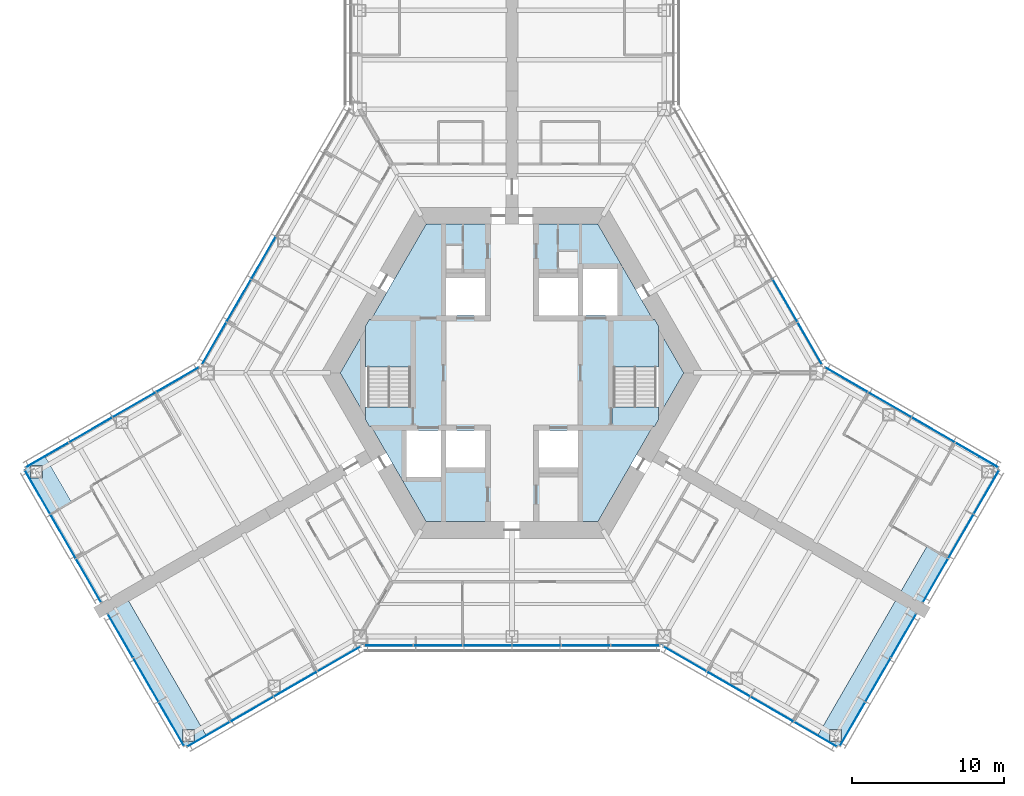
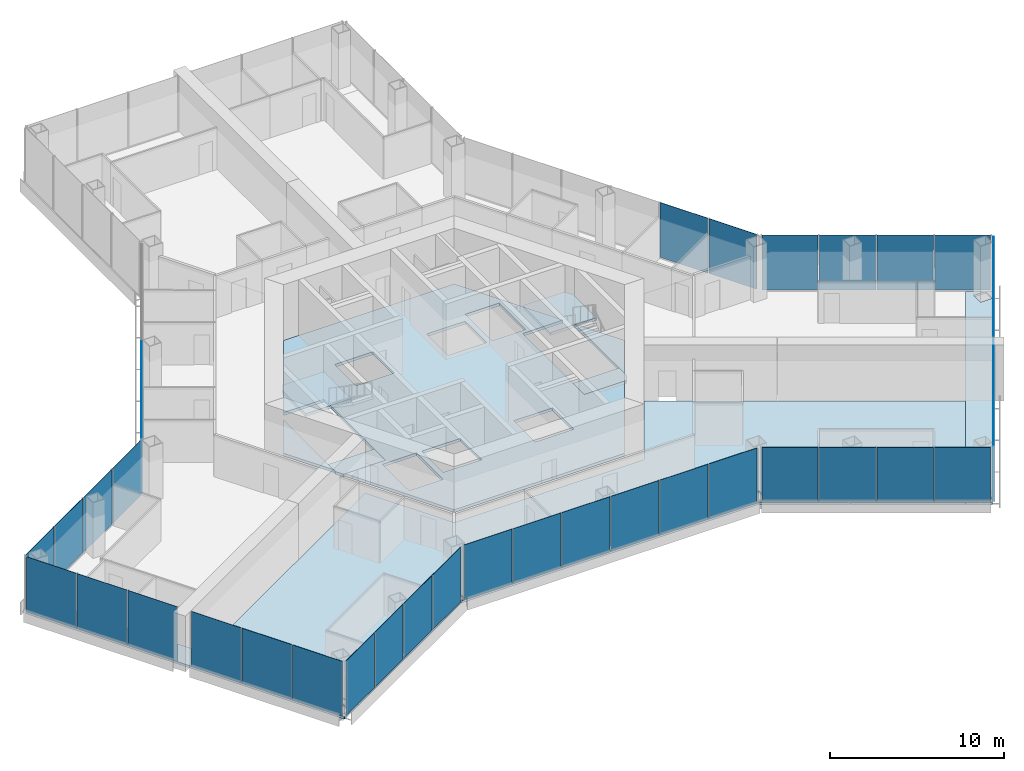
# One storey, part 10 of 19: 39 plates, 10 slabs, 13 elements without a shape of their own.
"""IFC4 building model written with IfcOpenShell, lengths in metres."""

from ifc_helpers import new_model, si_unit, direction, frame, origin, origin_2d, place, context, subcontext, project, spatial, polyline, rectangle, outline, extrude, material, layer, layer_set, type_object, element, aggregate, save


model = new_model("IFC4")

# Units and contexts
model_context = context("Model", 3, precision=1e-05, world=origin(), true_north=direction((0.0, 1.0)))
body_context = subcontext(model_context, "Body", "Model", "MODEL_VIEW")
ifc_project = project(units=[si_unit("LENGTHUNIT", "METRE"), si_unit("AREAUNIT", "SQUARE_METRE"), si_unit("VOLUMEUNIT", "CUBIC_METRE"), si_unit("PLANEANGLEUNIT", "RADIAN"), si_unit("MASSUNIT", "GRAM", prefix="KILO")], contexts=[model_context])

# Site, building, storey
site_placement = place(None, origin())
site = spatial("IfcSite", under=ifc_project, at=site_placement, CompositionType="ELEMENT")
building_placement = place(site_placement, origin())
building = spatial("IfcBuilding", under=site, at=building_placement, Name="Kasaneha Research Tower", CompositionType="ELEMENT")
storey_placement = place(building_placement, frame((0.0, 0.0, 96.300048828125)))
storey = spatial("IfcBuildingStorey", under=building, at=storey_placement, Name="L24", CompositionType="ELEMENT", Elevation=96.300048828125)

# Curtain wall, plates
ifc_material_1 = material(Name="Glass and aluminium", Category="aluminium")
curtain_wall_type = type_object("IfcCurtainWallType", Name="Low-rise office curtain wall", PredefinedType="USERDEFINED", material=ifc_material_1)
curtain_wall_1_placement = place(storey_placement, origin())
curtain_wall_1 = element("IfcCurtainWall", 1, at=curtain_wall_1_placement, inside=storey, type_object=curtain_wall_type, Name="CW-O1 L24 run 01a", ObjectType="UNITISED CURTAIN WALL", PredefinedType="USERDEFINED")
ifc_material_2 = material(Name="Laminated double glazing", Category="glass")
ifc_layer_1 = layer(ifc_material_2, 0.028076171875)
ifc_layer_set_1 = layer_set([ifc_layer_1], Name="CW-O1 glazed panel")
plate_type = type_object("IfcPlateType", Name="CW-O1 glazed panel", PredefinedType="CURTAIN_PANEL", material=ifc_layer_set_1)
plate_1_placement = place(storey_placement, frame((-19.945068359375, -23.755126953125, 0.06005859375), z_axis=(0.0, 0.0, 1.0), x_axis=(0.866025411464, 0.499999986699, 0.0)))
plate_1 = element("IfcPlate", 2, at=plate_1_placement, type_object=plate_type, Name="CW-O1 panel 1", PredefinedType="CURTAIN_PANEL", context=body_context, shape_type="SweptSolid", body=[
    extrude(rectangle(XDim=3.2197265625, YDim=0.028076171875, at=origin_2d()), origin(), (0.0, 0.0, 1.0), 3.840087890625),
])
plate_2_placement = place(storey_placement, frame((-17.091796875, -22.107666015625, 0.06005859375), z_axis=(0.0, 0.0, 1.0), x_axis=(0.866025411464, 0.499999986699, 0.0)))
plate_2 = element("IfcPlate", 3, at=plate_2_placement, type_object=plate_type, Name="CW-O1 panel 2", PredefinedType="CURTAIN_PANEL", context=body_context, shape_type="SweptSolid", body=[
    extrude(rectangle(XDim=3.249755859375, YDim=0.028076171875, at=origin_2d()), origin(), (0.0, 0.0, 1.0), 3.840087890625),
])
plate_3_placement = place(storey_placement, frame((-14.225341796875, -20.452880859375, 0.06005859375), z_axis=(0.0, 0.0, 1.0), x_axis=(0.866025411464, 0.499999986699, 0.0)))
plate_3 = element("IfcPlate", 4, at=plate_3_placement, type_object=plate_type, Name="CW-O1 panel 3", PredefinedType="CURTAIN_PANEL", context=body_context, shape_type="SweptSolid", body=[
    extrude(rectangle(XDim=3.249755859375, YDim=0.028076171875, at=origin_2d()), origin(), (0.0, 0.0, 1.0), 3.840087890625),
])
plate_4_placement = place(storey_placement, frame((-11.3720703125, -18.805419921875, 0.06005859375), z_axis=(0.0, 0.0, 1.0), x_axis=(0.866025411464, 0.499999986699, 0.0)))
plate_4 = element("IfcPlate", 5, at=plate_4_placement, type_object=plate_type, Name="CW-O1 panel 4", PredefinedType="CURTAIN_PANEL", context=body_context, shape_type="SweptSolid", body=[
    extrude(rectangle(XDim=3.2197265625, YDim=0.028076171875, at=origin_2d()), origin(), (0.0, 0.0, 1.0), 3.840087890625),
])
aggregate(curtain_wall_1, [plate_1, plate_2, plate_3, plate_4])

curtain_wall_2_placement = place(storey_placement, origin())
curtain_wall_2 = element("IfcCurtainWall", 6, at=curtain_wall_2_placement, inside=storey, type_object=curtain_wall_type, Name="CW-O1 L24 run 02a", ObjectType="UNITISED CURTAIN WALL", PredefinedType="USERDEFINED")
plate_5_placement = place(storey_placement, frame((-8.10107421875, -17.92041015625, 0.06005859375), z_axis=(0.0, 0.0, 1.0), x_axis=(1.0, 0.0, 0.0)))
plate_5 = element("IfcPlate", 7, at=plate_5_placement, type_object=plate_type, Name="CW-O1 panel 1", PredefinedType="CURTAIN_PANEL", context=body_context, shape_type="SweptSolid", body=[
    extrude(rectangle(XDim=3.156494140625, YDim=0.028076171875, at=origin_2d()), origin(), (0.0, 0.0, 1.0), 3.840087890625),
])
plate_6_placement = place(storey_placement, frame((-4.86962890625, -17.92041015625, 0.06005859375), z_axis=(0.0, 0.0, 1.0), x_axis=(1.0, 0.0, 0.0)))
plate_6 = element("IfcPlate", 8, at=plate_6_placement, type_object=plate_type, Name="CW-O1 panel 2", PredefinedType="CURTAIN_PANEL", context=body_context, shape_type="SweptSolid", body=[
    extrude(rectangle(XDim=3.1865234375, YDim=0.028076171875, at=origin_2d()), origin(), (0.0, 0.0, 1.0), 3.840087890625),
])
plate_7_placement = place(storey_placement, frame((-1.623291015625, -17.92041015625, 0.06005859375), z_axis=(0.0, 0.0, 1.0), x_axis=(1.0, 0.0, 0.0)))
plate_7 = element("IfcPlate", 9, at=plate_7_placement, type_object=plate_type, Name="CW-O1 panel 3", PredefinedType="CURTAIN_PANEL", context=body_context, shape_type="SweptSolid", body=[
    extrude(rectangle(XDim=3.1865234375, YDim=0.028076171875, at=origin_2d()), origin(), (0.0, 0.0, 1.0), 3.840087890625),
])
plate_8_placement = place(storey_placement, frame((1.623291015625, -17.92041015625, 0.06005859375), z_axis=(0.0, 0.0, 1.0), x_axis=(1.0, 0.0, 0.0)))
plate_8 = element("IfcPlate", 10, at=plate_8_placement, type_object=plate_type, Name="CW-O1 panel 4", PredefinedType="CURTAIN_PANEL", context=body_context, shape_type="SweptSolid", body=[
    extrude(rectangle(XDim=3.1865234375, YDim=0.028076171875, at=origin_2d()), origin(), (0.0, 0.0, 1.0), 3.840087890625),
])
plate_9_placement = place(storey_placement, frame((4.86962890625, -17.92041015625, 0.06005859375), z_axis=(0.0, 0.0, 1.0), x_axis=(1.0, 0.0, 0.0)))
plate_9 = element("IfcPlate", 11, at=plate_9_placement, type_object=plate_type, Name="CW-O1 panel 5", PredefinedType="CURTAIN_PANEL", context=body_context, shape_type="SweptSolid", body=[
    extrude(rectangle(XDim=3.1865234375, YDim=0.028076171875, at=origin_2d()), origin(), (0.0, 0.0, 1.0), 3.840087890625),
])
plate_10_placement = place(storey_placement, frame((8.10107421875, -17.92041015625, 0.06005859375), z_axis=(0.0, 0.0, 1.0), x_axis=(1.0, 0.0, 0.0)))
plate_10 = element("IfcPlate", 12, at=plate_10_placement, type_object=plate_type, Name="CW-O1 panel 6", PredefinedType="CURTAIN_PANEL", context=body_context, shape_type="SweptSolid", body=[
    extrude(rectangle(XDim=3.156494140625, YDim=0.028076171875, at=origin_2d()), origin(), (0.0, 0.0, 1.0), 3.840087890625),
])
aggregate(curtain_wall_2, [plate_5, plate_6, plate_7, plate_8, plate_9, plate_10])

curtain_wall_3_placement = place(storey_placement, origin())
curtain_wall_3 = element("IfcCurtainWall", 13, at=curtain_wall_3_placement, inside=storey, type_object=curtain_wall_type, Name="CW-O1 L24 run 03a", ObjectType="UNITISED CURTAIN WALL", PredefinedType="USERDEFINED")
plate_11_placement = place(storey_placement, frame((11.3720703125, -18.805419921875, 0.06005859375), z_axis=(0.0, 0.0, 1.0), x_axis=(0.866025411464, -0.499999986699, 0.0)))
plate_11 = element("IfcPlate", 14, at=plate_11_placement, type_object=plate_type, Name="CW-O1 panel 1", PredefinedType="CURTAIN_PANEL", context=body_context, shape_type="SweptSolid", body=[
    extrude(rectangle(XDim=3.2197265625, YDim=0.028076171875, at=origin_2d()), origin(), (0.0, 0.0, 1.0), 3.840087890625),
])
plate_12_placement = place(storey_placement, frame((14.225341796875, -20.452880859375, 0.06005859375), z_axis=(0.0, 0.0, 1.0), x_axis=(0.866025411464, -0.499999986699, 0.0)))
plate_12 = element("IfcPlate", 15, at=plate_12_placement, type_object=plate_type, Name="CW-O1 panel 2", PredefinedType="CURTAIN_PANEL", context=body_context, shape_type="SweptSolid", body=[
    extrude(rectangle(XDim=3.249755859375, YDim=0.028076171875, at=origin_2d()), origin(), (0.0, 0.0, 1.0), 3.840087890625),
])
plate_13_placement = place(storey_placement, frame((17.091796875, -22.107666015625, 0.06005859375), z_axis=(0.0, 0.0, 1.0), x_axis=(0.866025411464, -0.499999986699, 0.0)))
plate_13 = element("IfcPlate", 16, at=plate_13_placement, type_object=plate_type, Name="CW-O1 panel 3", PredefinedType="CURTAIN_PANEL", context=body_context, shape_type="SweptSolid", body=[
    extrude(rectangle(XDim=3.249755859375, YDim=0.028076171875, at=origin_2d()), origin(), (0.0, 0.0, 1.0), 3.840087890625),
])
plate_14_placement = place(storey_placement, frame((19.945068359375, -23.755126953125, 0.06005859375), z_axis=(0.0, 0.0, 1.0), x_axis=(0.866025411464, -0.499999986699, 0.0)))
plate_14 = element("IfcPlate", 17, at=plate_14_placement, type_object=plate_type, Name="CW-O1 panel 4", PredefinedType="CURTAIN_PANEL", context=body_context, shape_type="SweptSolid", body=[
    extrude(rectangle(XDim=3.2197265625, YDim=0.028076171875, at=origin_2d()), origin(), (0.0, 0.0, 1.0), 3.840087890625),
])
aggregate(curtain_wall_3, [plate_11, plate_12, plate_13, plate_14])

curtain_wall_4_placement = place(storey_placement, origin())
curtain_wall_4 = element("IfcCurtainWall", 18, at=curtain_wall_4_placement, inside=storey, type_object=curtain_wall_type, Name="CW-O1 L24 run 04a", ObjectType="UNITISED CURTAIN WALL", PredefinedType="USERDEFINED")
plate_15_placement = place(storey_placement, frame((22.377197265625, -23.082763671875, 0.06005859375), z_axis=(0.0, 0.0, 1.0), x_axis=(0.500000011442, 0.866025397178, 0.0)))
plate_15 = element("IfcPlate", 19, at=plate_15_placement, type_object=plate_type, Name="CW-O1 panel 1", PredefinedType="CURTAIN_PANEL", context=body_context, shape_type="SweptSolid", body=[
    extrude(rectangle(XDim=3.276611328125, YDim=0.028076171875, at=origin_2d()), origin(), (0.0, 0.0, 1.0), 3.840087890625),
])
plate_16_placement = place(storey_placement, frame((24.052978515625, -20.18017578125, 0.06005859375), z_axis=(0.0, 0.0, 1.0), x_axis=(0.500000011442, 0.866025397178, 0.0)))
plate_16 = element("IfcPlate", 20, at=plate_16_placement, type_object=plate_type, Name="CW-O1 panel 2", PredefinedType="CURTAIN_PANEL", context=body_context, shape_type="SweptSolid", body=[
    extrude(rectangle(XDim=3.306640625, YDim=0.028076171875, at=origin_2d()), origin(), (0.0, 0.0, 1.0), 3.840087890625),
])
plate_17_placement = place(storey_placement, frame((25.728759765625, -17.27734375, 0.06005859375), z_axis=(0.0, 0.0, 1.0), x_axis=(0.500000011442, 0.866025397178, 0.0)))
plate_17 = element("IfcPlate", 21, at=plate_17_placement, type_object=plate_type, Name="CW-O1 panel 3", PredefinedType="CURTAIN_PANEL", context=body_context, shape_type="SweptSolid", body=[
    extrude(rectangle(XDim=3.276611328125, YDim=0.028076171875, at=origin_2d()), origin(), (0.0, 0.0, 1.0), 3.840087890625),
])
aggregate(curtain_wall_4, [plate_15, plate_16, plate_17])

curtain_wall_5_placement = place(storey_placement, origin())
curtain_wall_5 = element("IfcCurtainWall", 22, at=curtain_wall_5_placement, inside=storey, type_object=curtain_wall_type, Name="CW-O1 L24 run 05a", ObjectType="UNITISED CURTAIN WALL", PredefinedType="USERDEFINED")
plate_18_placement = place(storey_placement, frame((27.8271484375, -13.64306640625, 0.06005859375), z_axis=(0.0, 0.0, 1.0), x_axis=(0.500000011442, 0.866025397178, 0.0)))
plate_18 = element("IfcPlate", 23, at=plate_18_placement, type_object=plate_type, Name="CW-O1 panel 1", PredefinedType="CURTAIN_PANEL", context=body_context, shape_type="SweptSolid", body=[
    extrude(rectangle(XDim=3.276611328125, YDim=0.028076171875, at=origin_2d()), origin(), (0.0, 0.0, 1.0), 3.840087890625),
])
plate_19_placement = place(storey_placement, frame((29.5029296875, -10.740478515625, 0.06005859375), z_axis=(0.0, 0.0, 1.0), x_axis=(0.500000011442, 0.866025397178, 0.0)))
plate_19 = element("IfcPlate", 24, at=plate_19_placement, type_object=plate_type, Name="CW-O1 panel 2", PredefinedType="CURTAIN_PANEL", context=body_context, shape_type="SweptSolid", body=[
    extrude(rectangle(XDim=3.306640625, YDim=0.028076171875, at=origin_2d()), origin(), (0.0, 0.0, 1.0), 3.840087890625),
])
plate_20_placement = place(storey_placement, frame((31.1787109375, -7.837890625, 0.06005859375), z_axis=(0.0, 0.0, 1.0), x_axis=(0.500000011442, 0.866025397178, 0.0)))
plate_20 = element("IfcPlate", 25, at=plate_20_placement, type_object=plate_type, Name="CW-O1 panel 3", PredefinedType="CURTAIN_PANEL", context=body_context, shape_type="SweptSolid", body=[
    extrude(rectangle(XDim=3.276611328125, YDim=0.028076171875, at=origin_2d()), origin(), (0.0, 0.0, 1.0), 3.840087890625),
])
aggregate(curtain_wall_5, [plate_18, plate_19, plate_20])

curtain_wall_6_placement = place(storey_placement, origin())
curtain_wall_6 = element("IfcCurtainWall", 26, at=curtain_wall_6_placement, inside=storey, type_object=curtain_wall_type, Name="CW-O1 L24 run 06a", ObjectType="UNITISED CURTAIN WALL", PredefinedType="USERDEFINED")
plate_21_placement = place(storey_placement, frame((30.545166015625, -5.3955078125, 0.06005859375), z_axis=(0.0, 0.0, 1.0), x_axis=(-0.866025411464, 0.499999986699, 0.0)))
plate_21 = element("IfcPlate", 27, at=plate_21_placement, type_object=plate_type, Name="CW-O1 panel 1", PredefinedType="CURTAIN_PANEL", context=body_context, shape_type="SweptSolid", body=[
    extrude(rectangle(XDim=3.2197265625, YDim=0.028076171875, at=origin_2d()), origin(), (0.0, 0.0, 1.0), 3.840087890625),
])
plate_22_placement = place(storey_placement, frame((27.69189453125, -3.748046875, 0.06005859375), z_axis=(0.0, 0.0, 1.0), x_axis=(-0.866025411464, 0.499999986699, 0.0)))
plate_22 = element("IfcPlate", 28, at=plate_22_placement, type_object=plate_type, Name="CW-O1 panel 2", PredefinedType="CURTAIN_PANEL", context=body_context, shape_type="SweptSolid", body=[
    extrude(rectangle(XDim=3.249755859375, YDim=0.028076171875, at=origin_2d()), origin(), (0.0, 0.0, 1.0), 3.840087890625),
])
plate_23_placement = place(storey_placement, frame((24.825439453125, -2.093017578125, 0.06005859375), z_axis=(0.0, 0.0, 1.0), x_axis=(-0.866025411464, 0.499999986699, 0.0)))
plate_23 = element("IfcPlate", 29, at=plate_23_placement, type_object=plate_type, Name="CW-O1 panel 3", PredefinedType="CURTAIN_PANEL", context=body_context, shape_type="SweptSolid", body=[
    extrude(rectangle(XDim=3.249755859375, YDim=0.028076171875, at=origin_2d()), origin(), (0.0, 0.0, 1.0), 3.840087890625),
])
plate_24_placement = place(storey_placement, frame((21.971923828125, -0.44580078125, 0.06005859375), z_axis=(0.0, 0.0, 1.0), x_axis=(-0.866025411464, 0.499999986699, 0.0)))
plate_24 = element("IfcPlate", 30, at=plate_24_placement, type_object=plate_type, Name="CW-O1 panel 4", PredefinedType="CURTAIN_PANEL", context=body_context, shape_type="SweptSolid", body=[
    extrude(rectangle(XDim=3.2197265625, YDim=0.028076171875, at=origin_2d()), origin(), (0.0, 0.0, 1.0), 3.840087890625),
])
aggregate(curtain_wall_6, [plate_21, plate_22, plate_23, plate_24])

curtain_wall_7_placement = place(storey_placement, origin())
curtain_wall_7 = element("IfcCurtainWall", 31, at=curtain_wall_7_placement, inside=storey, type_object=curtain_wall_type, Name="CW-O1 L24 run 07a", ObjectType="UNITISED CURTAIN WALL", PredefinedType="USERDEFINED")
plate_25_placement = place(storey_placement, frame((19.570068359375, 1.944580078125, 0.06005859375), z_axis=(0.0, 0.0, 1.0), x_axis=(-0.49999996188, 0.866025425793, 0.0)))
plate_25 = element("IfcPlate", 32, at=plate_25_placement, type_object=plate_type, Name="CW-O1 panel 1", PredefinedType="CURTAIN_PANEL", context=body_context, shape_type="SweptSolid", body=[
    extrude(rectangle(XDim=3.156494140625, YDim=0.028076171875, at=origin_2d()), origin(), (0.0, 0.0, 1.0), 3.840087890625),
])
plate_26_placement = place(storey_placement, frame((17.954345703125, 4.7431640625, 0.06005859375), z_axis=(0.0, 0.0, 1.0), x_axis=(-0.49999996188, 0.866025425793, 0.0)))
plate_26 = element("IfcPlate", 33, at=plate_26_placement, type_object=plate_type, Name="CW-O1 panel 2", PredefinedType="CURTAIN_PANEL", context=body_context, shape_type="SweptSolid", body=[
    extrude(rectangle(XDim=3.1865234375, YDim=0.028076171875, at=origin_2d()), origin(), (0.0, 0.0, 1.0), 3.840087890625),
])
aggregate(curtain_wall_7, [plate_25, plate_26])

curtain_wall_8_placement = place(storey_placement, origin())
curtain_wall_8 = element("IfcCurtainWall", 34, at=curtain_wall_8_placement, inside=storey, type_object=curtain_wall_type, Name="CW-O1 L24 run 12a", ObjectType="UNITISED CURTAIN WALL", PredefinedType="USERDEFINED")
plate_27_placement = place(storey_placement, frame((-16.331298828125, 7.554443359375, 0.06005859375), z_axis=(0.0, 0.0, 1.0), x_axis=(-0.49999996188, -0.866025425793, 0.0)))
plate_27 = element("IfcPlate", 35, at=plate_27_placement, type_object=plate_type, Name="CW-O1 panel 4", PredefinedType="CURTAIN_PANEL", context=body_context, shape_type="SweptSolid", body=[
    extrude(rectangle(XDim=3.1865234375, YDim=0.028076171875, at=origin_2d()), origin(), (0.0, 0.0, 1.0), 3.840087890625),
])
plate_28_placement = place(storey_placement, frame((-17.954345703125, 4.7431640625, 0.06005859375), z_axis=(0.0, 0.0, 1.0), x_axis=(-0.49999996188, -0.866025425793, 0.0)))
plate_28 = element("IfcPlate", 36, at=plate_28_placement, type_object=plate_type, Name="CW-O1 panel 5", PredefinedType="CURTAIN_PANEL", context=body_context, shape_type="SweptSolid", body=[
    extrude(rectangle(XDim=3.1865234375, YDim=0.028076171875, at=origin_2d()), origin(), (0.0, 0.0, 1.0), 3.840087890625),
])
plate_29_placement = place(storey_placement, frame((-19.570068359375, 1.944580078125, 0.06005859375), z_axis=(0.0, 0.0, 1.0), x_axis=(-0.49999996188, -0.866025425793, 0.0)))
plate_29 = element("IfcPlate", 37, at=plate_29_placement, type_object=plate_type, Name="CW-O1 panel 6", PredefinedType="CURTAIN_PANEL", context=body_context, shape_type="SweptSolid", body=[
    extrude(rectangle(XDim=3.156494140625, YDim=0.028076171875, at=origin_2d()), origin(), (0.0, 0.0, 1.0), 3.840087890625),
])
aggregate(curtain_wall_8, [plate_27, plate_28, plate_29])

curtain_wall_9_placement = place(storey_placement, origin())
curtain_wall_9 = element("IfcCurtainWall", 38, at=curtain_wall_9_placement, inside=storey, type_object=curtain_wall_type, Name="CW-O1 L24 run 13a", ObjectType="UNITISED CURTAIN WALL", PredefinedType="USERDEFINED")
plate_30_placement = place(storey_placement, frame((-21.971923828125, -0.44580078125, 0.06005859375), z_axis=(0.0, 0.0, 1.0), x_axis=(-0.866025411464, -0.499999986699, 0.0)))
plate_30 = element("IfcPlate", 39, at=plate_30_placement, type_object=plate_type, Name="CW-O1 panel 1", PredefinedType="CURTAIN_PANEL", context=body_context, shape_type="SweptSolid", body=[
    extrude(rectangle(XDim=3.2197265625, YDim=0.028076171875, at=origin_2d()), origin(), (0.0, 0.0, 1.0), 3.840087890625),
])
plate_31_placement = place(storey_placement, frame((-24.825439453125, -2.093017578125, 0.06005859375), z_axis=(0.0, 0.0, 1.0), x_axis=(-0.866025411464, -0.499999986699, 0.0)))
plate_31 = element("IfcPlate", 40, at=plate_31_placement, type_object=plate_type, Name="CW-O1 panel 2", PredefinedType="CURTAIN_PANEL", context=body_context, shape_type="SweptSolid", body=[
    extrude(rectangle(XDim=3.249755859375, YDim=0.028076171875, at=origin_2d()), origin(), (0.0, 0.0, 1.0), 3.840087890625),
])
plate_32_placement = place(storey_placement, frame((-27.69189453125, -3.748046875, 0.06005859375), z_axis=(0.0, 0.0, 1.0), x_axis=(-0.866025411464, -0.499999986699, 0.0)))
plate_32 = element("IfcPlate", 41, at=plate_32_placement, type_object=plate_type, Name="CW-O1 panel 3", PredefinedType="CURTAIN_PANEL", context=body_context, shape_type="SweptSolid", body=[
    extrude(rectangle(XDim=3.249755859375, YDim=0.028076171875, at=origin_2d()), origin(), (0.0, 0.0, 1.0), 3.840087890625),
])
plate_33_placement = place(storey_placement, frame((-30.545166015625, -5.3955078125, 0.06005859375), z_axis=(0.0, 0.0, 1.0), x_axis=(-0.866025411464, -0.499999986699, 0.0)))
plate_33 = element("IfcPlate", 42, at=plate_33_placement, type_object=plate_type, Name="CW-O1 panel 4", PredefinedType="CURTAIN_PANEL", context=body_context, shape_type="SweptSolid", body=[
    extrude(rectangle(XDim=3.2197265625, YDim=0.028076171875, at=origin_2d()), origin(), (0.0, 0.0, 1.0), 3.840087890625),
])
aggregate(curtain_wall_9, [plate_30, plate_31, plate_32, plate_33])

curtain_wall_10_placement = place(storey_placement, origin())
curtain_wall_10 = element("IfcCurtainWall", 43, at=curtain_wall_10_placement, inside=storey, type_object=curtain_wall_type, Name="CW-O1 L24 run 14a", ObjectType="UNITISED CURTAIN WALL", PredefinedType="USERDEFINED")
plate_34_placement = place(storey_placement, frame((-31.1787109375, -7.837890625, 0.06005859375), z_axis=(0.0, 0.0, 1.0), x_axis=(0.500000011442, -0.866025397178, 0.0)))
plate_34 = element("IfcPlate", 44, at=plate_34_placement, type_object=plate_type, Name="CW-O1 panel 1", PredefinedType="CURTAIN_PANEL", context=body_context, shape_type="SweptSolid", body=[
    extrude(rectangle(XDim=3.276611328125, YDim=0.028076171875, at=origin_2d()), origin(), (0.0, 0.0, 1.0), 3.840087890625),
])
plate_35_placement = place(storey_placement, frame((-29.5029296875, -10.740478515625, 0.06005859375), z_axis=(0.0, 0.0, 1.0), x_axis=(0.500000011442, -0.866025397178, 0.0)))
plate_35 = element("IfcPlate", 45, at=plate_35_placement, type_object=plate_type, Name="CW-O1 panel 2", PredefinedType="CURTAIN_PANEL", context=body_context, shape_type="SweptSolid", body=[
    extrude(rectangle(XDim=3.306640625, YDim=0.028076171875, at=origin_2d()), origin(), (0.0, 0.0, 1.0), 3.840087890625),
])
plate_36_placement = place(storey_placement, frame((-27.8271484375, -13.64306640625, 0.06005859375), z_axis=(0.0, 0.0, 1.0), x_axis=(0.500000011442, -0.866025397178, 0.0)))
plate_36 = element("IfcPlate", 46, at=plate_36_placement, type_object=plate_type, Name="CW-O1 panel 3", PredefinedType="CURTAIN_PANEL", context=body_context, shape_type="SweptSolid", body=[
    extrude(rectangle(XDim=3.276611328125, YDim=0.028076171875, at=origin_2d()), origin(), (0.0, 0.0, 1.0), 3.840087890625),
])
aggregate(curtain_wall_10, [plate_34, plate_35, plate_36])

curtain_wall_11_placement = place(storey_placement, origin())
curtain_wall_11 = element("IfcCurtainWall", 47, at=curtain_wall_11_placement, inside=storey, type_object=curtain_wall_type, Name="CW-O1 L24 run 15a", ObjectType="UNITISED CURTAIN WALL", PredefinedType="USERDEFINED")
plate_37_placement = place(storey_placement, frame((-25.728759765625, -17.27734375, 0.06005859375), z_axis=(0.0, 0.0, 1.0), x_axis=(0.500000011442, -0.866025397178, 0.0)))
plate_37 = element("IfcPlate", 48, at=plate_37_placement, type_object=plate_type, Name="CW-O1 panel 1", PredefinedType="CURTAIN_PANEL", context=body_context, shape_type="SweptSolid", body=[
    extrude(rectangle(XDim=3.276611328125, YDim=0.028076171875, at=origin_2d()), origin(), (0.0, 0.0, 1.0), 3.840087890625),
])
plate_38_placement = place(storey_placement, frame((-24.052978515625, -20.18017578125, 0.06005859375), z_axis=(0.0, 0.0, 1.0), x_axis=(0.500000011442, -0.866025397178, 0.0)))
plate_38 = element("IfcPlate", 49, at=plate_38_placement, type_object=plate_type, Name="CW-O1 panel 2", PredefinedType="CURTAIN_PANEL", context=body_context, shape_type="SweptSolid", body=[
    extrude(rectangle(XDim=3.306640625, YDim=0.028076171875, at=origin_2d()), origin(), (0.0, 0.0, 1.0), 3.840087890625),
])
plate_39_placement = place(storey_placement, frame((-22.377197265625, -23.082763671875, 0.06005859375), z_axis=(0.0, 0.0, 1.0), x_axis=(0.500000011442, -0.866025397178, 0.0)))
plate_39 = element("IfcPlate", 50, at=plate_39_placement, type_object=plate_type, Name="CW-O1 panel 3", PredefinedType="CURTAIN_PANEL", context=body_context, shape_type="SweptSolid", body=[
    extrude(rectangle(XDim=3.276611328125, YDim=0.028076171875, at=origin_2d()), origin(), (0.0, 0.0, 1.0), 3.840087890625),
])
aggregate(curtain_wall_11, [plate_37, plate_38, plate_39])

# Slabs
ifc_material_3 = material(Name="Concrete Fc24", Category="concrete")
ifc_layer_2 = layer(ifc_material_3, 0.199951171875)
ifc_layer_set_2 = layer_set([ifc_layer_2], Name="Core floor slab 200")
slab_type_1 = type_object("IfcSlabType", Name="Core floor slab 200", PredefinedType="FLOOR", material=ifc_layer_set_2)
slab_1_placement = place(storey_placement, frame((0.0, 0.0, -0.199951171875)))
element("IfcSlab", 51, at=slab_1_placement, inside=storey, type_object=slab_type_1, Name="Core slab L24", PredefinedType="FLOOR", context=body_context, shape_type="SweptSolid", body=[
    extrude(outline(polyline([(-11.287109375, 0.0), (-9.625, 2.87890625), (-9.625, -2.87890625), (-11.287109375, 0.0)])), origin(), (0.0, 0.0, 1.0), 0.199951171875),
])
slab_2_placement = place(storey_placement, frame((0.0, 0.0, -0.199951171875)))
element("IfcSlab", 52, at=slab_2_placement, inside=storey, type_object=slab_type_1, Name="Core slab L24", PredefinedType="FLOOR", context=body_context, shape_type="SweptSolid", body=[
    extrude(outline(polyline([(-5.6435546875, 9.77490234375), (5.6435546875, 9.77490234375), (9.251953125, 3.52490234375), (6.574951171875, 3.52490234375), (6.574951171875, -3.52490234375), (9.251953125, -3.52490234375), (5.6435546875, -9.77490234375), (-5.6435546875, -9.77490234375), (-9.251953125, -3.52490234375), (-6.574951171875, -3.52490234375), (-6.574951171875, 3.52490234375), (-9.251953125, 3.52490234375), (-5.6435546875, 9.77490234375)]), holes=[polyline([(-6.925048828125, -3.77490234375), (-6.925048828125, -6.824951171875), (-4.675048828125, -6.824951171875), (-4.675048828125, -3.77490234375), (-6.925048828125, -3.77490234375)]), polyline([(-4.324951171875, -3.77490234375), (-4.324951171875, -6.22509765625), (-1.77490234375, -6.22509765625), (-1.77490234375, -3.77490234375), (-4.324951171875, -3.77490234375)]), polyline([(1.77490234375, -3.77490234375), (1.77490234375, -6.22509765625), (4.324951171875, -6.22509765625), (4.324951171875, -3.77490234375), (1.77490234375, -3.77490234375)]), polyline([(-4.324951171875, 6.22509765625), (-4.324951171875, 3.77490234375), (-1.77490234375, 3.77490234375), (-1.77490234375, 6.22509765625), (-4.324951171875, 6.22509765625)]), polyline([(1.77490234375, 6.22509765625), (1.77490234375, 3.77490234375), (4.324951171875, 3.77490234375), (4.324951171875, 6.22509765625), (1.77490234375, 6.22509765625)]), polyline([(4.675048828125, 6.824951171875), (4.675048828125, 3.77490234375), (6.925048828125, 3.77490234375), (6.925048828125, 6.824951171875), (4.675048828125, 6.824951171875)])]), origin(), (0.0, 0.0, 1.0), 0.199951171875),
])
slab_3_placement = place(storey_placement, frame((0.0, 0.0, -0.199951171875)))
element("IfcSlab", 53, at=slab_3_placement, inside=storey, type_object=slab_type_1, Name="Core slab L24", PredefinedType="FLOOR", context=body_context, shape_type="SweptSolid", body=[
    extrude(outline(polyline([(11.287109375, 0.0), (9.625, -2.87890625), (9.625, 2.87890625), (11.287109375, 0.0)])), origin(), (0.0, 0.0, 1.0), 0.199951171875),
])
ifc_material_4 = material(Name="Concrete Fc24", Category="concrete")
ifc_layer_3 = layer(ifc_material_4, 0.14990234375)
ifc_layer_set_3 = layer_set([ifc_layer_3], Name="Floor slab 150")
slab_type_2 = type_object("IfcSlabType", Name="Floor slab 150", PredefinedType="FLOOR", material=ifc_layer_set_3)
slab_4_placement = place(storey_placement, frame((0.0, 0.0, -0.150146484375)))
element("IfcSlab", 54, at=slab_4_placement, inside=storey, type_object=slab_type_2, Name="Floor slab L24 1", PredefinedType="FLOOR", context=body_context, shape_type="SweptSolid", body=[
    extrude(outline(polyline([(-25.1923828125, -15.006591796875), (-25.18359375, -15.001708984375), (-20.108642578125, -23.791748046875), (-21.459716796875, -24.57177734375), (-21.65576171875, -24.232177734375), (-21.644287109375, -24.220703125), (-20.858154296875, -24.220703125), (-20.858154296875, -23.42041015625), (-21.658447265625, -23.42041015625), (-21.658447265625, -24.20654296875), (-21.666015625, -24.214111328125), (-31.65576171875, -6.91162109375), (-31.644287109375, -6.900146484375), (-30.858154296875, -6.900146484375), (-30.858154296875, -6.099853515625), (-31.658447265625, -6.099853515625), (-31.658447265625, -6.885986328125), (-31.666015625, -6.8935546875), (-32.009521484375, -6.298583984375), (-30.65869140625, -5.518798828125), (-25.583740234375, -14.308837890625), (-25.59228515625, -14.313720703125), (-25.1923828125, -15.006591796875)])), origin(), (0.0, 0.0, 1.0), 0.150146484375),
])
slab_5_placement = place(storey_placement, frame((0.0, 0.0, -0.150146484375)))
element("IfcSlab", 55, at=slab_5_placement, inside=storey, type_object=slab_type_2, Name="Floor slab L24 4", PredefinedType="FLOOR", context=body_context, shape_type="SweptSolid", body=[
    extrude(outline(polyline([(-6.278564453125, -10.875), (6.278564453125, -10.875), (9.218017578125, -5.783935546875), (25.18359375, -15.001708984375), (20.108642578125, -23.791748046875), (14.369384765625, -20.478271484375), (14.377197265625, -20.470703125), (15.163330078125, -20.470703125), (15.163330078125, -19.67041015625), (14.363037109375, -19.67041015625), (14.363037109375, -20.45654296875), (14.3515625, -20.468017578125), (9.8525390625, -17.87060546875), (-9.8525390625, -17.87060546875), (-15.217529296875, -20.968017578125), (-15.22900390625, -20.95654296875), (-15.22900390625, -20.17041015625), (-16.029296875, -20.17041015625), (-16.029296875, -20.970703125), (-15.2431640625, -20.970703125), (-15.235595703125, -20.978271484375), (-20.108642578125, -23.791748046875), (-25.18359375, -15.001708984375), (-9.218017578125, -5.783935546875), (-6.278564453125, -10.875)]), holes=[polyline([(0.39990234375, -17.720458984375), (0.39990234375, -16.92041015625), (-0.39990234375, -16.92041015625), (-0.39990234375, -17.720458984375), (0.39990234375, -17.720458984375)]), polyline([(-9.550048828125, -16.87060546875), (-10.449951171875, -16.87060546875), (-10.449951171875, -17.7705078125), (-9.550048828125, -17.7705078125), (-9.550048828125, -16.87060546875)]), polyline([(10.449951171875, -16.87060546875), (9.550048828125, -16.87060546875), (9.550048828125, -17.7705078125), (10.449951171875, -17.7705078125), (10.449951171875, -16.87060546875)])]), origin(), (0.0, 0.0, 1.0), 0.150146484375),
])
slab_6_placement = place(storey_placement, frame((0.0, 0.0, -0.150146484375)))
element("IfcSlab", 56, at=slab_6_placement, inside=storey, type_object=slab_type_2, Name="Floor slab L24 6", PredefinedType="FLOOR", context=body_context, shape_type="SweptSolid", body=[
    extrude(outline(polyline([(25.1923828125, -15.006591796875), (25.59228515625, -14.313720703125), (25.583740234375, -14.308837890625), (30.65869140625, -5.518798828125), (32.009521484375, -6.298583984375), (31.666015625, -6.8935546875), (31.658447265625, -6.885986328125), (31.658447265625, -6.099853515625), (30.858154296875, -6.099853515625), (30.858154296875, -6.900146484375), (31.644287109375, -6.900146484375), (31.65576171875, -6.91162109375), (21.666015625, -24.214111328125), (21.658447265625, -24.20654296875), (21.658447265625, -23.42041015625), (20.858154296875, -23.42041015625), (20.858154296875, -24.220703125), (21.644287109375, -24.220703125), (21.65576171875, -24.232177734375), (21.459716796875, -24.57177734375), (20.108642578125, -23.791748046875), (25.18359375, -15.001708984375), (25.1923828125, -15.006591796875)])), origin(), (0.0, 0.0, 1.0), 0.150146484375),
])

# Stair, slabs
ifc_material_5 = material(Name="Concrete Fc24", Category="concrete")
stair_type = type_object("IfcStairType", Name="Half-turn stair 22 risers", PredefinedType="HALF_TURN_STAIR", material=ifc_material_5)
stair_1_placement = place(storey_placement, origin())
stair_1 = element("IfcStair", 57, at=stair_1_placement, inside=storey, type_object=stair_type, Name="Stair 1 L24", PredefinedType="HALF_TURN_STAIR")
ifc_material_6 = material(Name="Concrete Fc24", Category="concrete")
ifc_layer_4 = layer(ifc_material_6, 0.199951171875)
ifc_layer_set_4 = layer_set([ifc_layer_4], Name="Stair 1 landing 200")
slab_type_3 = type_object("IfcSlabType", Name="Stair 1 landing 200", PredefinedType="LANDING", material=ifc_layer_set_4)
slab_7_placement = place(storey_placement, frame((0.0, 0.0, -0.199951171875)))
slab_7 = element("IfcSlab", 58, at=slab_7_placement, type_object=slab_type_3, Name="ST1-22R landing 1", PredefinedType="LANDING", context=body_context, shape_type="SweptSolid", body=[
    extrude(outline(polyline([(9.367431640625, -3.52490234375), (6.574951171875, -3.52490234375), (6.574951171875, -2.22509765625), (9.625, -2.22509765625), (9.625, -3.0791015625), (9.367431640625, -3.52490234375)])), origin(), (0.0, 0.0, 1.0), 0.199951171875),
])
slab_8_placement = place(storey_placement, frame((0.0, 0.0, 1.75)))
slab_8 = element("IfcSlab", 59, at=slab_8_placement, type_object=slab_type_3, Name="ST1-22R landing 2", PredefinedType="LANDING", context=body_context, shape_type="SweptSolid", body=[
    extrude(outline(polyline([(6.574951171875, 3.52490234375), (9.367431640625, 3.52490234375), (9.625, 3.0791015625), (9.625, 0.375), (6.574951171875, 0.375), (6.574951171875, 3.52490234375)])), origin(), (0.0, 0.0, 1.0), 0.199951171875),
])
aggregate(stair_1, [slab_7, slab_8])

stair_2_placement = place(storey_placement, origin())
stair_2 = element("IfcStair", 60, at=stair_2_placement, inside=storey, type_object=stair_type, Name="Stair 2 L24", PredefinedType="HALF_TURN_STAIR")
ifc_material_7 = material(Name="Concrete Fc24", Category="concrete")
ifc_layer_5 = layer(ifc_material_7, 0.199951171875)
ifc_layer_set_5 = layer_set([ifc_layer_5], Name="Stair 2 landing 200")
slab_type_4 = type_object("IfcSlabType", Name="Stair 2 landing 200", PredefinedType="LANDING", material=ifc_layer_set_5)
slab_9_placement = place(storey_placement, frame((0.0, 0.0, -0.199951171875)))
slab_9 = element("IfcSlab", 61, at=slab_9_placement, type_object=slab_type_4, Name="ST2-22R landing 1", PredefinedType="LANDING", context=body_context, shape_type="SweptSolid", body=[
    extrude(outline(polyline([(-6.574951171875, -3.52490234375), (-9.367431640625, -3.52490234375), (-9.625, -3.0791015625), (-9.625, -2.22509765625), (-6.574951171875, -2.22509765625), (-6.574951171875, -3.52490234375)])), origin(), (0.0, 0.0, 1.0), 0.199951171875),
])
slab_10_placement = place(storey_placement, frame((0.0, 0.0, 1.75)))
slab_10 = element("IfcSlab", 62, at=slab_10_placement, type_object=slab_type_4, Name="ST2-22R landing 2", PredefinedType="LANDING", context=body_context, shape_type="SweptSolid", body=[
    extrude(outline(polyline([(-6.574951171875, 0.375), (-9.625, 0.375), (-9.625, 3.0791015625), (-9.367431640625, 3.52490234375), (-6.574951171875, 3.52490234375), (-6.574951171875, 0.375)])), origin(), (0.0, 0.0, 1.0), 0.199951171875),
])
aggregate(stair_2, [slab_9, slab_10])

save(model, "model.ifc")
